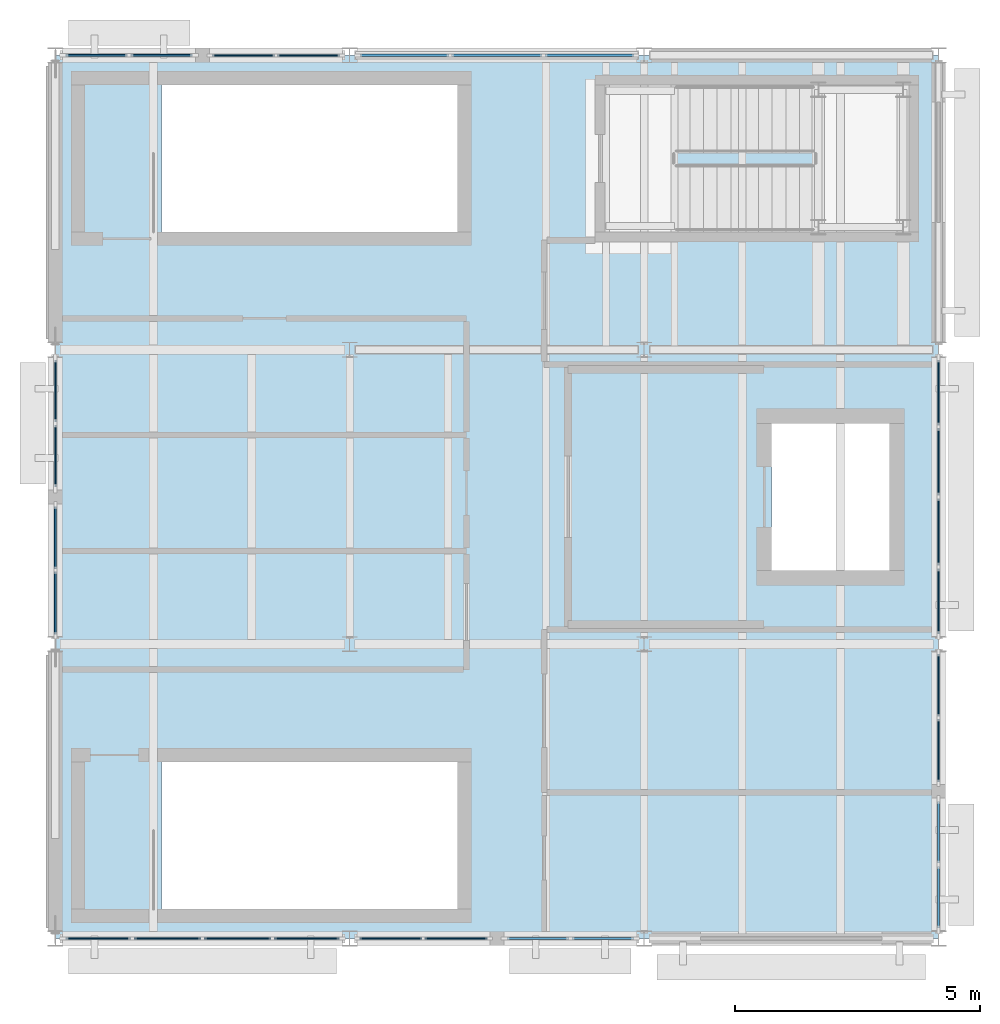
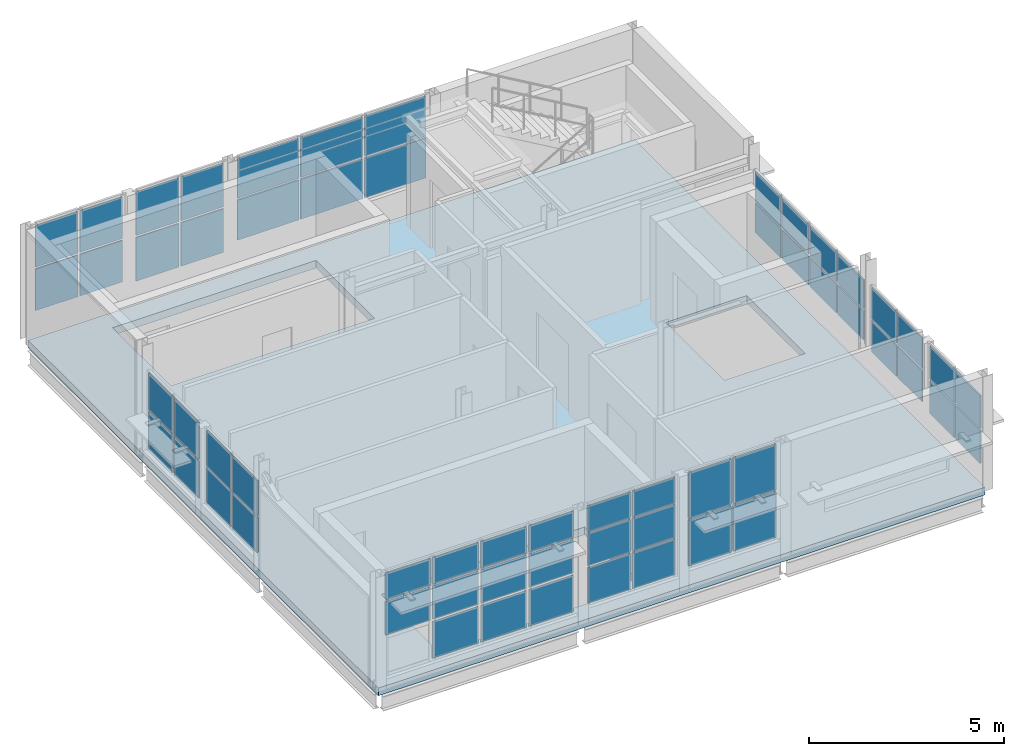
# One storey, part 4 of 8: 59 plates, 1 slab, 11 elements without a shape of their own.
"""IFC4 building model written with IfcOpenShell, lengths in metres."""

from ifc_helpers import new_model, si_unit, direction, frame, origin, origin_2d, place, context, subcontext, project, spatial, polyline, rectangle, outline, extrude, material, layer, layer_set, type_object, element, aggregate, save


model = new_model("IFC4")

# Units and contexts
model_context = context("Model", 3, precision=1e-05, world=origin(), true_north=direction((0.0, 1.0)))
body_context = subcontext(model_context, "Body", "Model", "MODEL_VIEW")
ifc_project = project(units=[si_unit("LENGTHUNIT", "METRE"), si_unit("AREAUNIT", "SQUARE_METRE"), si_unit("VOLUMEUNIT", "CUBIC_METRE"), si_unit("PLANEANGLEUNIT", "RADIAN"), si_unit("MASSUNIT", "GRAM", prefix="KILO")], contexts=[model_context])

# Site, building, storey
site_placement = place(None, origin())
site = spatial("IfcSite", under=ifc_project, at=site_placement, CompositionType="ELEMENT")
building_placement = place(site_placement, origin())
building = spatial("IfcBuilding", under=site, at=building_placement, Name="Siltcreek Boulevard Central Fire Station", CompositionType="ELEMENT")
storey_placement = place(building_placement, frame((0.0, 0.0, 21.60009765625)))
storey = spatial("IfcBuildingStorey", under=building, at=storey_placement, Name="L06", CompositionType="ELEMENT", Elevation=21.60009765625)

# Curtain wall, plates
ifc_material_1 = material(Name="Anodized aluminum and low-E insulated glazing", Category="aluminium")
curtain_wall_type_1 = type_object("IfcCurtainWallType", Name="CW_SYS_19", PredefinedType="USERDEFINED", material=ifc_material_1)
curtain_wall_1_placement = place(storey_placement, origin())
curtain_wall_1 = element("IfcCurtainWall", 1, at=curtain_wall_1_placement, inside=storey, type_object=curtain_wall_type_1, Name="L06 V3 unitised curtain wall CW-078", ObjectType="CURTAIN WALL", PredefinedType="USERDEFINED")
ifc_material_2 = material(Name="Low-E double insulated glass unit", Category="glass")
ifc_layer_1 = layer(ifc_material_2, 0.028076171875, Name="Low-E double insulated glass unit")
ifc_layer_set_1 = layer_set([ifc_layer_1], Name="Low-E double insulated glass unit")
plate_type_1 = type_object("IfcPlateType", Name="CWP_GLZ_1", PredefinedType="CURTAIN_PANEL", material=ifc_layer_set_1)
plate_1_placement = place(storey_placement, frame((42.875, 94.199951171875, 1.598876953125), z_axis=(0.0, 0.0, 1.0), x_axis=(1.0, 0.0, 0.0)))
plate_1 = element("IfcPlate", 2, at=plate_1_placement, type_object=plate_type_1, Name="CW-078 panel 1.2", PredefinedType="CURTAIN_PANEL", context=body_context, shape_type="SweptSolid", body=[
    extrude(rectangle(XDim=1.330078125, YDim=0.028076171875, at=origin_2d()), origin(), (0.0, 0.0, 1.0), 1.05029296875),
])
plate_2_placement = place(storey_placement, frame((42.875, 94.199951171875, 2.714111328125), z_axis=(0.0, 0.0, 1.0), x_axis=(1.0, 0.0, 0.0)))
plate_2 = element("IfcPlate", 3, at=plate_2_placement, type_object=plate_type_1, Name="CW-078 panel 1.3", PredefinedType="CURTAIN_PANEL", context=body_context, shape_type="SweptSolid", body=[
    extrude(rectangle(XDim=1.330078125, YDim=0.028076171875, at=origin_2d()), origin(), (0.0, 0.0, 1.0), 0.82080078125),
])
plate_3_placement = place(storey_placement, frame((44.2861328125, 94.199951171875, 0.385009765625), z_axis=(0.0, 0.0, 1.0), x_axis=(1.0, 0.0, 0.0)))
plate_3 = element("IfcPlate", 4, at=plate_3_placement, type_object=plate_type_1, Name="CW-078 panel 2.1", PredefinedType="CURTAIN_PANEL", context=body_context, shape_type="SweptSolid", body=[
    extrude(rectangle(XDim=1.362548828125, YDim=0.028076171875, at=origin_2d()), origin(), (0.0, 0.0, 1.0), 1.14892578125),
])
plate_4_placement = place(storey_placement, frame((44.2861328125, 94.199951171875, 1.598876953125), z_axis=(0.0, 0.0, 1.0), x_axis=(1.0, 0.0, 0.0)))
plate_4 = element("IfcPlate", 5, at=plate_4_placement, type_object=plate_type_1, Name="CW-078 panel 2.2", PredefinedType="CURTAIN_PANEL", context=body_context, shape_type="SweptSolid", body=[
    extrude(rectangle(XDim=1.362548828125, YDim=0.028076171875, at=origin_2d()), origin(), (0.0, 0.0, 1.0), 1.05029296875),
])
plate_5_placement = place(storey_placement, frame((44.2861328125, 94.199951171875, 2.714111328125), z_axis=(0.0, 0.0, 1.0), x_axis=(1.0, 0.0, 0.0)))
plate_5 = element("IfcPlate", 6, at=plate_5_placement, type_object=plate_type_1, Name="CW-078 panel 2.3", PredefinedType="CURTAIN_PANEL", context=body_context, shape_type="SweptSolid", body=[
    extrude(rectangle(XDim=1.362548828125, YDim=0.028076171875, at=origin_2d()), origin(), (0.0, 0.0, 1.0), 0.82080078125),
])
plate_6_placement = place(storey_placement, frame((45.7138671875, 94.199951171875, 0.385009765625), z_axis=(0.0, 0.0, 1.0), x_axis=(1.0, 0.0, 0.0)))
plate_6 = element("IfcPlate", 7, at=plate_6_placement, type_object=plate_type_1, Name="CW-078 panel 3.1", PredefinedType="CURTAIN_PANEL", context=body_context, shape_type="SweptSolid", body=[
    extrude(rectangle(XDim=1.362548828125, YDim=0.028076171875, at=origin_2d()), origin(), (0.0, 0.0, 1.0), 1.14892578125),
])
plate_7_placement = place(storey_placement, frame((45.7138671875, 94.199951171875, 1.598876953125), z_axis=(0.0, 0.0, 1.0), x_axis=(1.0, 0.0, 0.0)))
plate_7 = element("IfcPlate", 8, at=plate_7_placement, type_object=plate_type_1, Name="CW-078 panel 3.2", PredefinedType="CURTAIN_PANEL", context=body_context, shape_type="SweptSolid", body=[
    extrude(rectangle(XDim=1.362548828125, YDim=0.028076171875, at=origin_2d()), origin(), (0.0, 0.0, 1.0), 1.05029296875),
])
plate_8_placement = place(storey_placement, frame((45.7138671875, 94.199951171875, 2.714111328125), z_axis=(0.0, 0.0, 1.0), x_axis=(1.0, 0.0, 0.0)))
plate_8 = element("IfcPlate", 9, at=plate_8_placement, type_object=plate_type_1, Name="CW-078 panel 3.3", PredefinedType="CURTAIN_PANEL", context=body_context, shape_type="SweptSolid", body=[
    extrude(rectangle(XDim=1.362548828125, YDim=0.028076171875, at=origin_2d()), origin(), (0.0, 0.0, 1.0), 0.82080078125),
])
plate_9_placement = place(storey_placement, frame((47.125, 94.199951171875, 0.385009765625), z_axis=(0.0, 0.0, 1.0), x_axis=(1.0, 0.0, 0.0)))
plate_9 = element("IfcPlate", 10, at=plate_9_placement, type_object=plate_type_1, Name="CW-078 panel 4.1", PredefinedType="CURTAIN_PANEL", context=body_context, shape_type="SweptSolid", body=[
    extrude(rectangle(XDim=1.330078125, YDim=0.028076171875, at=origin_2d()), origin(), (0.0, 0.0, 1.0), 1.14892578125),
])
plate_10_placement = place(storey_placement, frame((47.125, 94.199951171875, 1.598876953125), z_axis=(0.0, 0.0, 1.0), x_axis=(1.0, 0.0, 0.0)))
plate_10 = element("IfcPlate", 11, at=plate_10_placement, type_object=plate_type_1, Name="CW-078 panel 4.2", PredefinedType="CURTAIN_PANEL", context=body_context, shape_type="SweptSolid", body=[
    extrude(rectangle(XDim=1.330078125, YDim=0.028076171875, at=origin_2d()), origin(), (0.0, 0.0, 1.0), 1.05029296875),
])
plate_11_placement = place(storey_placement, frame((47.125, 94.199951171875, 2.714111328125), z_axis=(0.0, 0.0, 1.0), x_axis=(1.0, 0.0, 0.0)))
plate_11 = element("IfcPlate", 12, at=plate_11_placement, type_object=plate_type_1, Name="CW-078 panel 4.3", PredefinedType="CURTAIN_PANEL", context=body_context, shape_type="SweptSolid", body=[
    extrude(rectangle(XDim=1.330078125, YDim=0.028076171875, at=origin_2d()), origin(), (0.0, 0.0, 1.0), 0.82080078125),
])
aggregate(curtain_wall_1, [plate_1, plate_2, plate_3, plate_4, plate_5, plate_6, plate_7, plate_8, plate_9, plate_10, plate_11])

curtain_wall_type_2 = type_object("IfcCurtainWallType", Name="CW_SYS_22", PredefinedType="USERDEFINED", material=ifc_material_1)
curtain_wall_2_placement = place(storey_placement, origin())
curtain_wall_2 = element("IfcCurtainWall", 13, at=curtain_wall_2_placement, inside=storey, type_object=curtain_wall_type_2, Name="L06 V3 unitised curtain wall CW-081", ObjectType="CURTAIN WALL", PredefinedType="USERDEFINED")
plate_12_placement = place(storey_placement, frame((47.1611328125, 112.199951171875, 0.73974609375), z_axis=(0.0, 0.0, 1.0), x_axis=(-1.0, 0.0, 0.0)))
plate_12 = element("IfcPlate", 14, at=plate_12_placement, type_object=plate_type_1, Name="CW-081 panel 1.1", PredefinedType="CURTAIN_PANEL", context=body_context, shape_type="SweptSolid", body=[
    extrude(rectangle(XDim=1.267578125, YDim=0.028076171875, at=origin_2d()), origin(), (0.0, 0.0, 1.0), 1.3701171875),
])
plate_13_placement = place(storey_placement, frame((47.1611328125, 112.199951171875, 2.169921875), z_axis=(0.0, 0.0, 1.0), x_axis=(-1.0, 0.0, 0.0)))
plate_13 = element("IfcPlate", 15, at=plate_13_placement, type_object=plate_type_1, Name="CW-081 panel 1.2", PredefinedType="CURTAIN_PANEL", context=body_context, shape_type="SweptSolid", body=[
    extrude(rectangle(XDim=1.267578125, YDim=0.028076171875, at=origin_2d()), origin(), (0.0, 0.0, 1.0), 1.3701171875),
])
plate_14_placement = place(storey_placement, frame((45.833740234375, 112.199951171875, 0.73974609375), z_axis=(0.0, 0.0, 1.0), x_axis=(-1.0, 0.0, 0.0)))
plate_14 = element("IfcPlate", 16, at=plate_14_placement, type_object=plate_type_1, Name="CW-081 panel 2.1", PredefinedType="CURTAIN_PANEL", context=body_context, shape_type="SweptSolid", body=[
    extrude(rectangle(XDim=1.267578125, YDim=0.028076171875, at=origin_2d()), origin(), (0.0, 0.0, 1.0), 1.3701171875),
])
plate_15_placement = place(storey_placement, frame((45.833740234375, 112.199951171875, 2.169921875), z_axis=(0.0, 0.0, 1.0), x_axis=(-1.0, 0.0, 0.0)))
plate_15 = element("IfcPlate", 17, at=plate_15_placement, type_object=plate_type_1, Name="CW-081 panel 2.2", PredefinedType="CURTAIN_PANEL", context=body_context, shape_type="SweptSolid", body=[
    extrude(rectangle(XDim=1.267578125, YDim=0.028076171875, at=origin_2d()), origin(), (0.0, 0.0, 1.0), 1.3701171875),
])
aggregate(curtain_wall_2, [plate_12, plate_13, plate_14, plate_15])

curtain_wall_type_3 = type_object("IfcCurtainWallType", Name="CW_SYS_25", PredefinedType="USERDEFINED", material=ifc_material_1)
curtain_wall_3_placement = place(storey_placement, origin())
curtain_wall_3 = element("IfcCurtainWall", 18, at=curtain_wall_3_placement, inside=storey, type_object=curtain_wall_type_3, Name="L06 V3 unitised curtain wall CW-084", ObjectType="CURTAIN WALL", PredefinedType="USERDEFINED")
plate_16_placement = place(storey_placement, frame((42.0, 105.360107421875, 0.385009765625), z_axis=(0.0, 0.0, 1.0), x_axis=(0.0, -1.0, 0.0)))
plate_16 = element("IfcPlate", 19, at=plate_16_placement, type_object=plate_type_1, Name="CW-084 panel 1.1", PredefinedType="CURTAIN_PANEL", context=body_context, shape_type="SweptSolid", body=[
    extrude(rectangle(XDim=1.260009765625, YDim=0.028076171875, at=origin_2d()), origin(), (0.0, 0.0, 1.0), 1.14892578125),
])
plate_17_placement = place(storey_placement, frame((42.0, 105.360107421875, 1.598876953125), z_axis=(0.0, 0.0, 1.0), x_axis=(0.0, -1.0, 0.0)))
plate_17 = element("IfcPlate", 20, at=plate_17_placement, type_object=plate_type_1, Name="CW-084 panel 1.2", PredefinedType="CURTAIN_PANEL", context=body_context, shape_type="SweptSolid", body=[
    extrude(rectangle(XDim=1.260009765625, YDim=0.028076171875, at=origin_2d()), origin(), (0.0, 0.0, 1.0), 1.14892578125),
])
plate_18_placement = place(storey_placement, frame((42.0, 104.034912109375, 0.385009765625), z_axis=(0.0, 0.0, 1.0), x_axis=(0.0, -1.0, 0.0)))
plate_18 = element("IfcPlate", 21, at=plate_18_placement, type_object=plate_type_1, Name="CW-084 panel 2.1", PredefinedType="CURTAIN_PANEL", context=body_context, shape_type="SweptSolid", body=[
    extrude(rectangle(XDim=1.260009765625, YDim=0.028076171875, at=origin_2d()), origin(), (0.0, 0.0, 1.0), 1.14892578125),
])
plate_19_placement = place(storey_placement, frame((42.0, 104.034912109375, 1.598876953125), z_axis=(0.0, 0.0, 1.0), x_axis=(0.0, -1.0, 0.0)))
plate_19 = element("IfcPlate", 22, at=plate_19_placement, type_object=plate_type_1, Name="CW-084 panel 2.2", PredefinedType="CURTAIN_PANEL", context=body_context, shape_type="SweptSolid", body=[
    extrude(rectangle(XDim=1.260009765625, YDim=0.028076171875, at=origin_2d()), origin(), (0.0, 0.0, 1.0), 1.14892578125),
])
aggregate(curtain_wall_3, [plate_16, plate_17, plate_18, plate_19])

curtain_wall_type_4 = type_object("IfcCurtainWallType", Name="CW_SYS_28", PredefinedType="USERDEFINED", material=ifc_material_1)
curtain_wall_4_placement = place(storey_placement, origin())
curtain_wall_4 = element("IfcCurtainWall", 23, at=curtain_wall_4_placement, inside=storey, type_object=curtain_wall_type_4, Name="L06 V3 unitised curtain wall CW-087", ObjectType="CURTAIN WALL", PredefinedType="USERDEFINED")
plate_20_placement = place(storey_placement, frame((60.0, 98.03369140625, 0.739990234375), z_axis=(0.0, 0.0, 1.0), x_axis=(0.0, 1.0, 0.0)))
plate_20 = element("IfcPlate", 24, at=plate_20_placement, type_object=plate_type_1, Name="CW-087 panel 1.1", PredefinedType="CURTAIN_PANEL", context=body_context, shape_type="SweptSolid", body=[
    extrude(rectangle(XDim=1.267578125, YDim=0.028076171875, at=origin_2d()), origin(), (0.0, 0.0, 1.0), 0.9765625),
])
plate_21_placement = place(storey_placement, frame((60.0, 98.03369140625, 1.7763671875), z_axis=(0.0, 0.0, 1.0), x_axis=(0.0, 1.0, 0.0)))
plate_21 = element("IfcPlate", 25, at=plate_21_placement, type_object=plate_type_1, Name="CW-087 panel 1.2", PredefinedType="CURTAIN_PANEL", context=body_context, shape_type="SweptSolid", body=[
    extrude(rectangle(XDim=1.267578125, YDim=0.028076171875, at=origin_2d()), origin(), (0.0, 0.0, 1.0), 0.976318359375),
])
plate_22_placement = place(storey_placement, frame((60.0, 99.361328125, 0.739990234375), z_axis=(0.0, 0.0, 1.0), x_axis=(0.0, 1.0, 0.0)))
plate_22 = element("IfcPlate", 26, at=plate_22_placement, type_object=plate_type_1, Name="CW-087 panel 2.1", PredefinedType="CURTAIN_PANEL", context=body_context, shape_type="SweptSolid", body=[
    extrude(rectangle(XDim=1.267578125, YDim=0.028076171875, at=origin_2d()), origin(), (0.0, 0.0, 1.0), 0.9765625),
])
plate_23_placement = place(storey_placement, frame((60.0, 99.361328125, 1.7763671875), z_axis=(0.0, 0.0, 1.0), x_axis=(0.0, 1.0, 0.0)))
plate_23 = element("IfcPlate", 27, at=plate_23_placement, type_object=plate_type_1, Name="CW-087 panel 2.2", PredefinedType="CURTAIN_PANEL", context=body_context, shape_type="SweptSolid", body=[
    extrude(rectangle(XDim=1.267578125, YDim=0.028076171875, at=origin_2d()), origin(), (0.0, 0.0, 1.0), 0.976318359375),
])
aggregate(curtain_wall_4, [plate_20, plate_21, plate_22, plate_23])

curtain_wall_type_5 = type_object("IfcCurtainWallType", Name="CW_SYS_20", PredefinedType="USERDEFINED", material=ifc_material_1)
curtain_wall_5_placement = place(storey_placement, origin())
curtain_wall_5 = element("IfcCurtainWall", 28, at=curtain_wall_5_placement, inside=storey, type_object=curtain_wall_type_5, Name="L06 V3 unitised curtain wall CW-079", ObjectType="CURTAIN WALL", PredefinedType="USERDEFINED")
ifc_layer_2 = layer(ifc_material_2, 0.0380859375, Name="Low-E double insulated glass unit")
ifc_layer_set_2 = layer_set([ifc_layer_2], Name="Low-E double insulated glass unit")
plate_type_2 = type_object("IfcPlateType", Name="CWP_GLZ_2", PredefinedType="CURTAIN_PANEL", material=ifc_layer_set_2)
plate_24_placement = place(storey_placement, frame((48.8388671875, 94.199951171875, 0.5), z_axis=(0.0, 0.0, 1.0), x_axis=(1.0, 0.0, 0.0)))
plate_24 = element("IfcPlate", 29, at=plate_24_placement, type_object=plate_type_2, Name="CW-079 panel 1.1", PredefinedType="CURTAIN_PANEL", context=body_context, shape_type="SweptSolid", body=[
    extrude(rectangle(XDim=1.267578125, YDim=0.0380859375, at=origin_2d()), origin(), (0.0, 0.0, 1.0), 1.11083984375),
])
plate_25_placement = place(storey_placement, frame((48.8388671875, 94.199951171875, 1.6708984375), z_axis=(0.0, 0.0, 1.0), x_axis=(1.0, 0.0, 0.0)))
plate_25 = element("IfcPlate", 30, at=plate_25_placement, type_object=plate_type_2, Name="CW-079 panel 1.2", PredefinedType="CURTAIN_PANEL", context=body_context, shape_type="SweptSolid", body=[
    extrude(rectangle(XDim=1.267578125, YDim=0.0380859375, at=origin_2d()), origin(), (0.0, 0.0, 1.0), 1.014404296875),
])
plate_26_placement = place(storey_placement, frame((48.8388671875, 94.199951171875, 2.7451171875), z_axis=(0.0, 0.0, 1.0), x_axis=(1.0, 0.0, 0.0)))
plate_26 = element("IfcPlate", 31, at=plate_26_placement, type_object=plate_type_2, Name="CW-079 panel 1.3", PredefinedType="CURTAIN_PANEL", context=body_context, shape_type="SweptSolid", body=[
    extrude(rectangle(XDim=1.267578125, YDim=0.0380859375, at=origin_2d()), origin(), (0.0, 0.0, 1.0), 0.794921875),
])
plate_27_placement = place(storey_placement, frame((50.166259765625, 94.199951171875, 0.5), z_axis=(0.0, 0.0, 1.0), x_axis=(1.0, 0.0, 0.0)))
plate_27 = element("IfcPlate", 32, at=plate_27_placement, type_object=plate_type_2, Name="CW-079 panel 2.1", PredefinedType="CURTAIN_PANEL", context=body_context, shape_type="SweptSolid", body=[
    extrude(rectangle(XDim=1.267578125, YDim=0.0380859375, at=origin_2d()), origin(), (0.0, 0.0, 1.0), 1.11083984375),
])
plate_28_placement = place(storey_placement, frame((50.166259765625, 94.199951171875, 1.6708984375), z_axis=(0.0, 0.0, 1.0), x_axis=(1.0, 0.0, 0.0)))
plate_28 = element("IfcPlate", 33, at=plate_28_placement, type_object=plate_type_2, Name="CW-079 panel 2.2", PredefinedType="CURTAIN_PANEL", context=body_context, shape_type="SweptSolid", body=[
    extrude(rectangle(XDim=1.267578125, YDim=0.0380859375, at=origin_2d()), origin(), (0.0, 0.0, 1.0), 1.014404296875),
])
plate_29_placement = place(storey_placement, frame((50.166259765625, 94.199951171875, 2.7451171875), z_axis=(0.0, 0.0, 1.0), x_axis=(1.0, 0.0, 0.0)))
plate_29 = element("IfcPlate", 34, at=plate_29_placement, type_object=plate_type_2, Name="CW-079 panel 2.3", PredefinedType="CURTAIN_PANEL", context=body_context, shape_type="SweptSolid", body=[
    extrude(rectangle(XDim=1.267578125, YDim=0.0380859375, at=origin_2d()), origin(), (0.0, 0.0, 1.0), 0.794921875),
])
aggregate(curtain_wall_5, [plate_24, plate_25, plate_26, plate_27, plate_28, plate_29])

curtain_wall_type_6 = type_object("IfcCurtainWallType", Name="CW_SYS_23", PredefinedType="USERDEFINED", material=ifc_material_1)
curtain_wall_6_placement = place(storey_placement, origin())
curtain_wall_6 = element("IfcCurtainWall", 35, at=curtain_wall_6_placement, inside=storey, type_object=curtain_wall_type_6, Name="L06 V3 unitised curtain wall CW-082", ObjectType="CURTAIN WALL", PredefinedType="USERDEFINED")
plate_30_placement = place(storey_placement, frame((44.1650390625, 112.199951171875, 0.86474609375), z_axis=(0.0, 0.0, 1.0), x_axis=(-1.0, 0.0, 0.0)))
plate_30 = element("IfcPlate", 36, at=plate_30_placement, type_object=plate_type_2, Name="CW-082 panel 1.1", PredefinedType="CURTAIN_PANEL", context=body_context, shape_type="SweptSolid", body=[
    extrude(rectangle(XDim=1.260009765625, YDim=0.0380859375, at=origin_2d()), origin(), (0.0, 0.0, 1.0), 1.302490234375),
])
plate_31_placement = place(storey_placement, frame((44.1650390625, 112.199951171875, 2.232421875), z_axis=(0.0, 0.0, 1.0), x_axis=(-1.0, 0.0, 0.0)))
plate_31 = element("IfcPlate", 37, at=plate_31_placement, type_object=plate_type_2, Name="CW-082 panel 1.2", PredefinedType="CURTAIN_PANEL", context=body_context, shape_type="SweptSolid", body=[
    extrude(rectangle(XDim=1.260009765625, YDim=0.0380859375, at=origin_2d()), origin(), (0.0, 0.0, 1.0), 1.302490234375),
])
plate_32_placement = place(storey_placement, frame((42.840087890625, 112.199951171875, 0.86474609375), z_axis=(0.0, 0.0, 1.0), x_axis=(-1.0, 0.0, 0.0)))
plate_32 = element("IfcPlate", 38, at=plate_32_placement, type_object=plate_type_2, Name="CW-082 panel 2.1", PredefinedType="CURTAIN_PANEL", context=body_context, shape_type="SweptSolid", body=[
    extrude(rectangle(XDim=1.260009765625, YDim=0.0380859375, at=origin_2d()), origin(), (0.0, 0.0, 1.0), 1.302490234375),
])
plate_33_placement = place(storey_placement, frame((42.840087890625, 112.199951171875, 2.232421875), z_axis=(0.0, 0.0, 1.0), x_axis=(-1.0, 0.0, 0.0)))
plate_33 = element("IfcPlate", 39, at=plate_33_placement, type_object=plate_type_2, Name="CW-082 panel 2.2", PredefinedType="CURTAIN_PANEL", context=body_context, shape_type="SweptSolid", body=[
    extrude(rectangle(XDim=1.260009765625, YDim=0.0380859375, at=origin_2d()), origin(), (0.0, 0.0, 1.0), 1.302490234375),
])
aggregate(curtain_wall_6, [plate_30, plate_31, plate_32, plate_33])

curtain_wall_type_7 = type_object("IfcCurtainWallType", Name="CW_SYS_26", PredefinedType="USERDEFINED", material=ifc_material_1)
curtain_wall_7_placement = place(storey_placement, origin())
curtain_wall_7 = element("IfcCurtainWall", 40, at=curtain_wall_7_placement, inside=storey, type_object=curtain_wall_type_7, Name="L06 V3 unitised curtain wall CW-085", ObjectType="CURTAIN WALL", PredefinedType="USERDEFINED")
plate_34_placement = place(storey_placement, frame((42.0, 102.3662109375, 0.5), z_axis=(0.0, 0.0, 1.0), x_axis=(0.0, -1.0, 0.0)))
plate_34 = element("IfcPlate", 41, at=plate_34_placement, type_object=plate_type_2, Name="CW-085 panel 1.1", PredefinedType="CURTAIN_PANEL", context=body_context, shape_type="SweptSolid", body=[
    extrude(rectangle(XDim=1.267578125, YDim=0.0380859375, at=origin_2d()), origin(), (0.0, 0.0, 1.0), 1.096435546875),
])
plate_35_placement = place(storey_placement, frame((42.0, 102.3662109375, 1.65625), z_axis=(0.0, 0.0, 1.0), x_axis=(0.0, -1.0, 0.0)))
plate_35 = element("IfcPlate", 42, at=plate_35_placement, type_object=plate_type_2, Name="CW-085 panel 1.2", PredefinedType="CURTAIN_PANEL", context=body_context, shape_type="SweptSolid", body=[
    extrude(rectangle(XDim=1.267578125, YDim=0.0380859375, at=origin_2d()), origin(), (0.0, 0.0, 1.0), 1.096435546875),
])
plate_36_placement = place(storey_placement, frame((42.0, 101.038818359375, 0.5), z_axis=(0.0, 0.0, 1.0), x_axis=(0.0, -1.0, 0.0)))
plate_36 = element("IfcPlate", 43, at=plate_36_placement, type_object=plate_type_2, Name="CW-085 panel 2.1", PredefinedType="CURTAIN_PANEL", context=body_context, shape_type="SweptSolid", body=[
    extrude(rectangle(XDim=1.267578125, YDim=0.0380859375, at=origin_2d()), origin(), (0.0, 0.0, 1.0), 1.096435546875),
])
plate_37_placement = place(storey_placement, frame((42.0, 101.038818359375, 1.65625), z_axis=(0.0, 0.0, 1.0), x_axis=(0.0, -1.0, 0.0)))
plate_37 = element("IfcPlate", 44, at=plate_37_placement, type_object=plate_type_2, Name="CW-085 panel 2.2", PredefinedType="CURTAIN_PANEL", context=body_context, shape_type="SweptSolid", body=[
    extrude(rectangle(XDim=1.267578125, YDim=0.0380859375, at=origin_2d()), origin(), (0.0, 0.0, 1.0), 1.096435546875),
])
aggregate(curtain_wall_7, [plate_34, plate_35, plate_36, plate_37])

curtain_wall_type_8 = type_object("IfcCurtainWallType", Name="CW_SYS_29", PredefinedType="USERDEFINED", material=ifc_material_1)
curtain_wall_8_placement = place(storey_placement, origin())
curtain_wall_8 = element("IfcCurtainWall", 45, at=curtain_wall_8_placement, inside=storey, type_object=curtain_wall_type_8, Name="L06 V3 unitised curtain wall CW-088", ObjectType="CURTAIN WALL", PredefinedType="USERDEFINED")
plate_38_placement = place(storey_placement, frame((60.0, 101.074951171875, 0.86474609375), z_axis=(0.0, 0.0, 1.0), x_axis=(0.0, 1.0, 0.0)))
plate_38 = element("IfcPlate", 46, at=plate_38_placement, type_object=plate_type_2, Name="CW-088 panel 1.1", PredefinedType="CURTAIN_PANEL", context=body_context, shape_type="SweptSolid", body=[
    extrude(rectangle(XDim=1.330078125, YDim=0.0380859375, at=origin_2d()), origin(), (0.0, 0.0, 1.0), 0.908935546875),
])
plate_39_placement = place(storey_placement, frame((60.0, 101.074951171875, 1.8388671875), z_axis=(0.0, 0.0, 1.0), x_axis=(0.0, 1.0, 0.0)))
plate_39 = element("IfcPlate", 47, at=plate_39_placement, type_object=plate_type_2, Name="CW-088 panel 1.2", PredefinedType="CURTAIN_PANEL", context=body_context, shape_type="SweptSolid", body=[
    extrude(rectangle(XDim=1.330078125, YDim=0.0380859375, at=origin_2d()), origin(), (0.0, 0.0, 1.0), 0.908935546875),
])
plate_40_placement = place(storey_placement, frame((60.0, 102.486328125, 0.86474609375), z_axis=(0.0, 0.0, 1.0), x_axis=(0.0, 1.0, 0.0)))
plate_40 = element("IfcPlate", 48, at=plate_40_placement, type_object=plate_type_2, Name="CW-088 panel 2.1", PredefinedType="CURTAIN_PANEL", context=body_context, shape_type="SweptSolid", body=[
    extrude(rectangle(XDim=1.362548828125, YDim=0.0380859375, at=origin_2d()), origin(), (0.0, 0.0, 1.0), 0.908935546875),
])
plate_41_placement = place(storey_placement, frame((60.0, 102.486328125, 1.8388671875), z_axis=(0.0, 0.0, 1.0), x_axis=(0.0, 1.0, 0.0)))
plate_41 = element("IfcPlate", 49, at=plate_41_placement, type_object=plate_type_2, Name="CW-088 panel 2.2", PredefinedType="CURTAIN_PANEL", context=body_context, shape_type="SweptSolid", body=[
    extrude(rectangle(XDim=1.362548828125, YDim=0.0380859375, at=origin_2d()), origin(), (0.0, 0.0, 1.0), 0.908935546875),
])
plate_42_placement = place(storey_placement, frame((60.0, 103.913818359375, 0.86474609375), z_axis=(0.0, 0.0, 1.0), x_axis=(0.0, 1.0, 0.0)))
plate_42 = element("IfcPlate", 50, at=plate_42_placement, type_object=plate_type_2, Name="CW-088 panel 3.1", PredefinedType="CURTAIN_PANEL", context=body_context, shape_type="SweptSolid", body=[
    extrude(rectangle(XDim=1.362548828125, YDim=0.0380859375, at=origin_2d()), origin(), (0.0, 0.0, 1.0), 0.908935546875),
])
plate_43_placement = place(storey_placement, frame((60.0, 103.913818359375, 1.8388671875), z_axis=(0.0, 0.0, 1.0), x_axis=(0.0, 1.0, 0.0)))
plate_43 = element("IfcPlate", 51, at=plate_43_placement, type_object=plate_type_2, Name="CW-088 panel 3.2", PredefinedType="CURTAIN_PANEL", context=body_context, shape_type="SweptSolid", body=[
    extrude(rectangle(XDim=1.362548828125, YDim=0.0380859375, at=origin_2d()), origin(), (0.0, 0.0, 1.0), 0.908935546875),
])
plate_44_placement = place(storey_placement, frame((60.0, 105.324951171875, 0.86474609375), z_axis=(0.0, 0.0, 1.0), x_axis=(0.0, 1.0, 0.0)))
plate_44 = element("IfcPlate", 52, at=plate_44_placement, type_object=plate_type_2, Name="CW-088 panel 4.1", PredefinedType="CURTAIN_PANEL", context=body_context, shape_type="SweptSolid", body=[
    extrude(rectangle(XDim=1.330078125, YDim=0.0380859375, at=origin_2d()), origin(), (0.0, 0.0, 1.0), 0.908935546875),
])
plate_45_placement = place(storey_placement, frame((60.0, 105.324951171875, 1.8388671875), z_axis=(0.0, 0.0, 1.0), x_axis=(0.0, 1.0, 0.0)))
plate_45 = element("IfcPlate", 53, at=plate_45_placement, type_object=plate_type_2, Name="CW-088 panel 4.2", PredefinedType="CURTAIN_PANEL", context=body_context, shape_type="SweptSolid", body=[
    extrude(rectangle(XDim=1.330078125, YDim=0.0380859375, at=origin_2d()), origin(), (0.0, 0.0, 1.0), 0.908935546875),
])
aggregate(curtain_wall_8, [plate_38, plate_39, plate_40, plate_41, plate_42, plate_43, plate_44, plate_45])

curtain_wall_type_9 = type_object("IfcCurtainWallType", Name="CW_SYS_21", PredefinedType="USERDEFINED", material=ifc_material_1)
curtain_wall_9_placement = place(storey_placement, origin())
curtain_wall_9 = element("IfcCurtainWall", 54, at=curtain_wall_9_placement, inside=storey, type_object=curtain_wall_type_9, Name="L06 V3 unitised curtain wall CW-080", ObjectType="CURTAIN WALL", PredefinedType="USERDEFINED")
ifc_layer_3 = layer(ifc_material_2, 0.048095703125, Name="Low-E double insulated glass unit")
ifc_layer_set_3 = layer_set([ifc_layer_3], Name="Low-E double insulated glass unit")
plate_type_3 = type_object("IfcPlateType", Name="CWP_GLZ_3", PredefinedType="CURTAIN_PANEL", material=ifc_layer_set_3)
plate_46_placement = place(storey_placement, frame((51.8349609375, 94.199951171875, 0.625), z_axis=(0.0, 0.0, 1.0), x_axis=(1.0, 0.0, 0.0)))
plate_46 = element("IfcPlate", 55, at=plate_46_placement, type_object=plate_type_3, Name="CW-080 panel 1.1", PredefinedType="CURTAIN_PANEL", context=body_context, shape_type="SweptSolid", body=[
    extrude(rectangle(XDim=1.260009765625, YDim=0.048095703125, at=origin_2d()), origin(), (0.0, 0.0, 1.0), 1.422607421875),
])
plate_47_placement = place(storey_placement, frame((51.8349609375, 94.199951171875, 2.1123046875), z_axis=(0.0, 0.0, 1.0), x_axis=(1.0, 0.0, 0.0)))
plate_47 = element("IfcPlate", 56, at=plate_47_placement, type_object=plate_type_3, Name="CW-080 panel 1.2", PredefinedType="CURTAIN_PANEL", context=body_context, shape_type="SweptSolid", body=[
    extrude(rectangle(XDim=1.260009765625, YDim=0.048095703125, at=origin_2d()), origin(), (0.0, 0.0, 1.0), 1.422607421875),
])
plate_48_placement = place(storey_placement, frame((53.159912109375, 94.199951171875, 0.625), z_axis=(0.0, 0.0, 1.0), x_axis=(1.0, 0.0, 0.0)))
plate_48 = element("IfcPlate", 57, at=plate_48_placement, type_object=plate_type_3, Name="CW-080 panel 2.1", PredefinedType="CURTAIN_PANEL", context=body_context, shape_type="SweptSolid", body=[
    extrude(rectangle(XDim=1.260009765625, YDim=0.048095703125, at=origin_2d()), origin(), (0.0, 0.0, 1.0), 1.422607421875),
])
plate_49_placement = place(storey_placement, frame((53.159912109375, 94.199951171875, 2.1123046875), z_axis=(0.0, 0.0, 1.0), x_axis=(1.0, 0.0, 0.0)))
plate_49 = element("IfcPlate", 58, at=plate_49_placement, type_object=plate_type_3, Name="CW-080 panel 2.2", PredefinedType="CURTAIN_PANEL", context=body_context, shape_type="SweptSolid", body=[
    extrude(rectangle(XDim=1.260009765625, YDim=0.048095703125, at=origin_2d()), origin(), (0.0, 0.0, 1.0), 1.422607421875),
])
aggregate(curtain_wall_9, [plate_46, plate_47, plate_48, plate_49])

curtain_wall_type_10 = type_object("IfcCurtainWallType", Name="CW_SYS_24", PredefinedType="USERDEFINED", material=ifc_material_1)
curtain_wall_10_placement = place(storey_placement, origin())
curtain_wall_10 = element("IfcCurtainWall", 59, at=curtain_wall_10_placement, inside=storey, type_object=curtain_wall_type_10, Name="L06 V3 unitised curtain wall CW-083", ObjectType="CURTAIN WALL", PredefinedType="USERDEFINED")
plate_50_placement = place(storey_placement, frame((52.888427734375, 112.199951171875, 0.97998046875), z_axis=(0.0, 0.0, 1.0), x_axis=(-1.0, 0.0, 0.0)))
plate_50 = element("IfcPlate", 60, at=plate_50_placement, type_object=plate_type_3, Name="CW-083 panel 1.1", PredefinedType="CURTAIN_PANEL", context=body_context, shape_type="SweptSolid", body=[
    extrude(rectangle(XDim=1.813232421875, YDim=0.048095703125, at=origin_2d()), origin(), (0.0, 0.0, 1.0), 1.25),
])
plate_51_placement = place(storey_placement, frame((52.888427734375, 112.199951171875, 2.289794921875), z_axis=(0.0, 0.0, 1.0), x_axis=(-1.0, 0.0, 0.0)))
plate_51 = element("IfcPlate", 61, at=plate_51_placement, type_object=plate_type_3, Name="CW-083 panel 1.2", PredefinedType="CURTAIN_PANEL", context=body_context, shape_type="SweptSolid", body=[
    extrude(rectangle(XDim=1.813232421875, YDim=0.048095703125, at=origin_2d()), origin(), (0.0, 0.0, 1.0), 1.25),
])
plate_52_placement = place(storey_placement, frame((51.0, 112.199951171875, 0.97998046875), z_axis=(0.0, 0.0, 1.0), x_axis=(-1.0, 0.0, 0.0)))
plate_52 = element("IfcPlate", 62, at=plate_52_placement, type_object=plate_type_3, Name="CW-083 panel 2.1", PredefinedType="CURTAIN_PANEL", context=body_context, shape_type="SweptSolid", body=[
    extrude(rectangle(XDim=1.84326171875, YDim=0.048095703125, at=origin_2d()), origin(), (0.0, 0.0, 1.0), 1.25),
])
plate_53_placement = place(storey_placement, frame((51.0, 112.199951171875, 2.289794921875), z_axis=(0.0, 0.0, 1.0), x_axis=(-1.0, 0.0, 0.0)))
plate_53 = element("IfcPlate", 63, at=plate_53_placement, type_object=plate_type_3, Name="CW-083 panel 2.2", PredefinedType="CURTAIN_PANEL", context=body_context, shape_type="SweptSolid", body=[
    extrude(rectangle(XDim=1.84326171875, YDim=0.048095703125, at=origin_2d()), origin(), (0.0, 0.0, 1.0), 1.25),
])
plate_54_placement = place(storey_placement, frame((49.111572265625, 112.199951171875, 0.97998046875), z_axis=(0.0, 0.0, 1.0), x_axis=(-1.0, 0.0, 0.0)))
plate_54 = element("IfcPlate", 64, at=plate_54_placement, type_object=plate_type_3, Name="CW-083 panel 3.1", PredefinedType="CURTAIN_PANEL", context=body_context, shape_type="SweptSolid", body=[
    extrude(rectangle(XDim=1.813232421875, YDim=0.048095703125, at=origin_2d()), origin(), (0.0, 0.0, 1.0), 1.25),
])
plate_55_placement = place(storey_placement, frame((49.111572265625, 112.199951171875, 2.289794921875), z_axis=(0.0, 0.0, 1.0), x_axis=(-1.0, 0.0, 0.0)))
plate_55 = element("IfcPlate", 65, at=plate_55_placement, type_object=plate_type_3, Name="CW-083 panel 3.2", PredefinedType="CURTAIN_PANEL", context=body_context, shape_type="SweptSolid", body=[
    extrude(rectangle(XDim=1.813232421875, YDim=0.048095703125, at=origin_2d()), origin(), (0.0, 0.0, 1.0), 1.25),
])
aggregate(curtain_wall_10, [plate_50, plate_51, plate_52, plate_53, plate_54, plate_55])

curtain_wall_type_11 = type_object("IfcCurtainWallType", Name="CW_SYS_27", PredefinedType="USERDEFINED", material=ifc_material_1)
curtain_wall_11_placement = place(storey_placement, origin())
curtain_wall_11 = element("IfcCurtainWall", 66, at=curtain_wall_11_placement, inside=storey, type_object=curtain_wall_type_11, Name="L06 V3 unitised curtain wall CW-086", ObjectType="CURTAIN WALL", PredefinedType="USERDEFINED")
plate_56_placement = place(storey_placement, frame((60.0, 95.0400390625, 0.625), z_axis=(0.0, 0.0, 1.0), x_axis=(0.0, 1.0, 0.0)))
plate_56 = element("IfcPlate", 67, at=plate_56_placement, type_object=plate_type_3, Name="CW-086 panel 1.1", PredefinedType="CURTAIN_PANEL", context=body_context, shape_type="SweptSolid", body=[
    extrude(rectangle(XDim=1.260009765625, YDim=0.048095703125, at=origin_2d()), origin(), (0.0, 0.0, 1.0), 1.029052734375),
])
plate_57_placement = place(storey_placement, frame((60.0, 95.0400390625, 1.718994140625), z_axis=(0.0, 0.0, 1.0), x_axis=(0.0, 1.0, 0.0)))
plate_57 = element("IfcPlate", 68, at=plate_57_placement, type_object=plate_type_3, Name="CW-086 panel 1.2", PredefinedType="CURTAIN_PANEL", context=body_context, shape_type="SweptSolid", body=[
    extrude(rectangle(XDim=1.260009765625, YDim=0.048095703125, at=origin_2d()), origin(), (0.0, 0.0, 1.0), 1.02880859375),
])
plate_58_placement = place(storey_placement, frame((60.0, 96.364990234375, 0.625), z_axis=(0.0, 0.0, 1.0), x_axis=(0.0, 1.0, 0.0)))
plate_58 = element("IfcPlate", 69, at=plate_58_placement, type_object=plate_type_3, Name="CW-086 panel 2.1", PredefinedType="CURTAIN_PANEL", context=body_context, shape_type="SweptSolid", body=[
    extrude(rectangle(XDim=1.260009765625, YDim=0.048095703125, at=origin_2d()), origin(), (0.0, 0.0, 1.0), 1.029052734375),
])
plate_59_placement = place(storey_placement, frame((60.0, 96.364990234375, 1.718994140625), z_axis=(0.0, 0.0, 1.0), x_axis=(0.0, 1.0, 0.0)))
plate_59 = element("IfcPlate", 70, at=plate_59_placement, type_object=plate_type_3, Name="CW-086 panel 2.2", PredefinedType="CURTAIN_PANEL", context=body_context, shape_type="SweptSolid", body=[
    extrude(rectangle(XDim=1.260009765625, YDim=0.048095703125, at=origin_2d()), origin(), (0.0, 0.0, 1.0), 1.02880859375),
])
aggregate(curtain_wall_11, [plate_56, plate_57, plate_58, plate_59])

# Slab
ifc_material_3 = material(Name="Concrete C35/45", Category="concrete")
ifc_layer_4 = layer(ifc_material_3, 0.239990234375, Name="Concrete C35/45")
ifc_layer_set_4 = layer_set([ifc_layer_4], Name="Concrete C35/45")
slab_type = type_object("IfcSlabType", Name="SL_FLR240", PredefinedType="FLOOR", material=ifc_layer_set_4)
slab_placement = place(storey_placement, frame((0.0, 0.0, -0.239990234375)))
element("IfcSlab", 71, at=slab_placement, inside=storey, type_object=slab_type, Name="L06 V3 structural floor slab SL-057", PredefinedType="FLOOR", context=body_context, shape_type="SweptSolid", body=[
    extrude(outline(polyline([(42.0, 112.199951171875), (60.0, 112.199951171875), (60.0, 94.199951171875), (42.0, 94.199951171875), (42.0, 112.199951171875)]), holes=[polyline([(44.159912109375, 94.800048828125), (50.199951171875, 94.800048828125), (50.199951171875, 97.800048828125), (44.159912109375, 97.800048828125), (44.159912109375, 94.800048828125)]), polyline([(56.60009765625, 104.699951171875), (56.60009765625, 101.699951171875), (59.0, 101.699951171875), (59.0, 104.699951171875), (56.60009765625, 104.699951171875)]), polyline([(44.159912109375, 111.60009765625), (44.159912109375, 108.60009765625), (50.199951171875, 108.60009765625), (50.199951171875, 111.60009765625), (44.159912109375, 111.60009765625)])]), origin(), (0.0, 0.0, 1.0), 0.239990234375),
])

save(model, "model.ifc")
